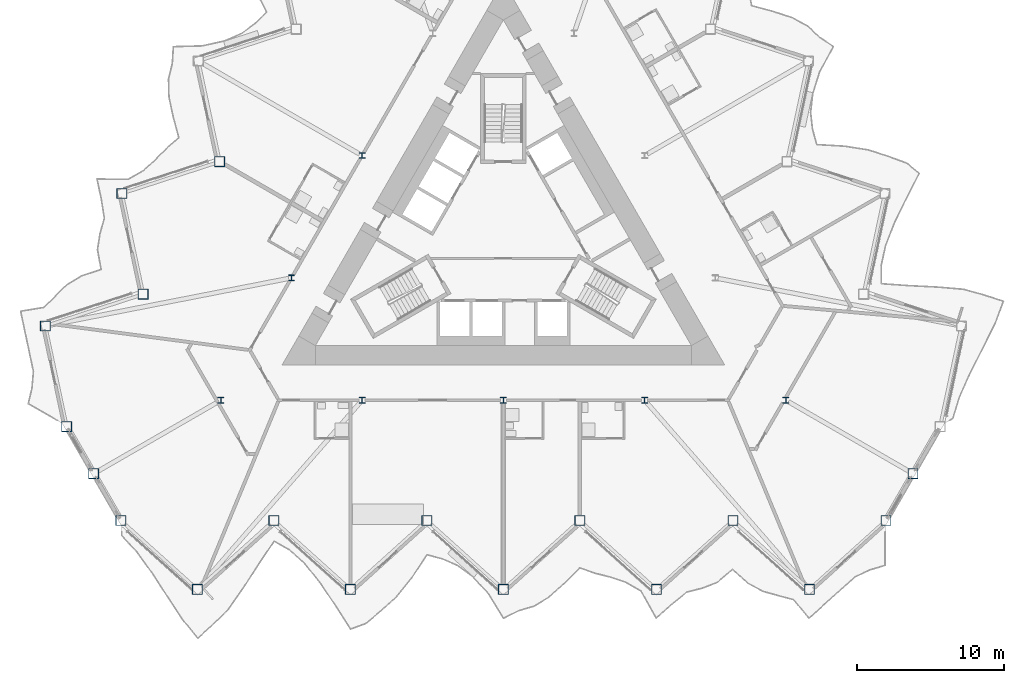
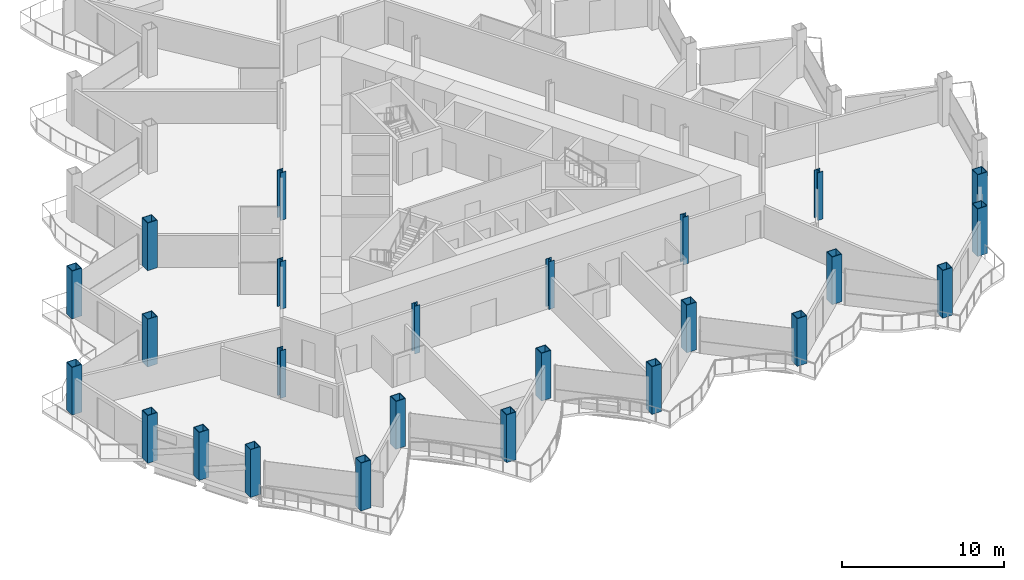
# One storey, part 1 of 23: 25 columns.
"""IFC4 building model written with IfcOpenShell, lengths in metres."""

from ifc_helpers import new_model, si_unit, direction, frame, origin, origin_2d, place, context, subcontext, project, spatial, hollow_rectangle, i_section, extrude, material, material_profile, profile_set, type_object, element, save


model = new_model("IFC4")

# Units and contexts
model_context = context("Model", 3, precision=1e-05, world=origin(), true_north=direction((0.0, 1.0)))
body_context = subcontext(model_context, "Body", "Model", "MODEL_VIEW")
ifc_project = project(units=[si_unit("LENGTHUNIT", "METRE"), si_unit("AREAUNIT", "SQUARE_METRE"), si_unit("VOLUMEUNIT", "CUBIC_METRE"), si_unit("PLANEANGLEUNIT", "RADIAN"), si_unit("MASSUNIT", "GRAM", prefix="KILO")], contexts=[model_context])

# Site, building, storey
site_placement = place(None, origin())
site = spatial("IfcSite", under=ifc_project, at=site_placement, CompositionType="ELEMENT")
building_placement = place(site_placement, origin())
building = spatial("IfcBuilding", under=site, at=building_placement, Name="Cormorant Prow Tower", CompositionType="ELEMENT")
storey_placement = place(building_placement, frame((0.0, 0.0, 259.800048828125)))
storey = spatial("IfcBuildingStorey", under=building, at=storey_placement, Name="L58", CompositionType="ELEMENT", Elevation=259.800048828125)

# Columns
ifc_material_1 = material(Name="Structural steel ASTM A572 Gr 50", Category="steel")
ifc_material_profile_1 = material_profile(ifc_material_1, hollow_rectangle(XDim=0.699951171875, YDim=0.699951171875, WallThickness=0.044921875, at=origin_2d()), Name="Box 700x700x45")
ifc_profile_set_1 = profile_set([ifc_material_profile_1], Name="Structural steel ASTM A572 Gr 50")
column_type_1 = type_object("IfcColumnType", Name="Perimeter box column 700x700x45", PredefinedType="COLUMN", material=ifc_profile_set_1)
for number, where, z_axis, x_axis, name in (
    (1, (-25.941162109375, -19.21533203125, 0.0), (0.0, 0.0, 1.0), (1.0, 0.0, 0.0), "Perimeter column C5 at S00 L58"),
    (2, (-20.7529296875, -23.886962890625, 0.0), (0.0, 0.0, 1.0), (1.0, 0.0, 0.0), "Perimeter column C5 at S01 L58"),
    (3, (-15.564697265625, -19.21533203125, 0.0), (0.0, 0.0, 1.0), (1.0, 0.0, 0.0), "Perimeter column C5 at S02 L58"),
    (4, (-10.37646484375, -23.886962890625, 0.0), (0.0, 0.0, 1.0), (1.0, 0.0, 0.0), "Perimeter column C5 at S03 L58"),
    (5, (-5.188232421875, -19.21533203125, 0.0), (0.0, 0.0, 1.0), (1.0, 0.0, 0.0), "Perimeter column C5 at S04 L58"),
    (6, (0.0, -23.886962890625, 0.0), (0.0, 0.0, 1.0), (1.0, 0.0, 0.0), "Perimeter column C5 at S05 L58"),
    (7, (5.188232421875, -19.21533203125, 0.0), (0.0, 0.0, 1.0), (1.0, 0.0, 0.0), "Perimeter column C5 at S06 L58"),
    (8, (10.37646484375, -23.886962890625, 0.0), (0.0, 0.0, 1.0), (1.0, 0.0, 0.0), "Perimeter column C5 at S07 L58"),
    (9, (15.564697265625, -19.21533203125, 0.0), (0.0, 0.0, 1.0), (1.0, 0.0, 0.0), "Perimeter column C5 at S08 L58"),
    (10, (20.7529296875, -23.886962890625, 0.0), (0.0, 0.0, 1.0), (1.0, 0.0, 0.0), "Perimeter column C5 at S09 L58"),
    (11, (25.941162109375, -19.21533203125, 0.0), (0.0, 0.0, 1.0), (1.0, 0.0, 0.0), "Perimeter column C5 at ESE00 L58"),
    (12, (27.7763671875, -16.03662109375, 0.0), (0.0, 0.0, 1.0), (1.0, 0.0, 0.0), "Perimeter column C5 at ESE01 L58"),
    (13, (-19.235107421875, 5.114501953125, 0.0), (0.0, 0.0, 1.0), (1.0, 0.0, 0.0), "Perimeter column C5 at WNW06 L58"),
    (14, (-25.875, 2.957275390625, 0.0), (0.0, 0.0, 1.0), (1.0, 0.0, 0.0), "Perimeter column C5 at WNW07 L58"),
    (15, (-24.42333984375, -3.871826171875, 0.0), (0.0, 0.0, 1.0), (1.0, 0.0, 0.0), "Perimeter column C5 at WNW08 L58"),
    (16, (-31.063232421875, -6.029052734375, 0.0), (0.0, 0.0, 1.0), (1.0, 0.0, 0.0), "Perimeter column C5 at WNW09 L58"),
    (17, (-29.611572265625, -12.858154296875, 0.0), (0.0, 0.0, 1.0), (1.0, 0.0, 0.0), "Perimeter column C5 at WSW00 L58"),
    (18, (-27.7763671875, -16.03662109375, 0.0), (0.0, 0.0, 1.0), (1.0, 0.0, 0.0), "Perimeter column C5 at WSW01 L58"),
):
    element("IfcColumn", number, at=place(storey_placement, frame(where, z_axis=z_axis, x_axis=x_axis)), inside=storey, type_object=column_type_1, Name=name, PredefinedType="COLUMN", context=body_context, shape_type="SweptSolid", body=[
        extrude(hollow_rectangle(XDim=0.699951171875, YDim=0.699951171875, WallThickness=0.044921875, at=origin_2d()), origin(), (0.0, 0.0, 1.0), 3.599853515625),
    ])
ifc_material_2 = material(Name="Structural steel ASTM A992 Gr 50", Category="steel")
ifc_material_profile_2 = material_profile(ifc_material_2, i_section(OverallWidth=0.39892578125, OverallDepth=0.393310546875, WebThickness=0.022705078125, FlangeThickness=0.03662109375, at=origin_2d()), Name="W14x193")
ifc_profile_set_2 = profile_set([ifc_material_profile_2], Name="Structural steel ASTM A992 Gr 50")
column_type_2 = type_object("IfcColumnType", Name="Ring column W14x193", PredefinedType="COLUMN", material=ifc_profile_set_2)
for number, where, z_axis, x_axis, name in (
    (19, (-9.578369140625, 5.530029296875, 0.0), (0.0, 0.0, 1.0), (1.0, 0.0, 0.0), "Ring column 3 L58"),
    (20, (-14.36767578125, -2.76513671875, 0.0), (0.0, 0.0, 1.0), (1.0, 0.0, 0.0), "Ring column 4 L58"),
    (21, (-19.156982421875, -11.060302734375, 0.0), (0.0, 0.0, 1.0), (1.0, 0.0, 0.0), "Ring column 5 L58"),
    (22, (-9.578369140625, -11.060302734375, 0.0), (0.0, 0.0, 1.0), (1.0, 0.0, 0.0), "Ring column 6 L58"),
    (23, (0.0, -11.060302734375, 0.0), (0.0, 0.0, 1.0), (1.0, 0.0, 0.0), "Ring column 7 L58"),
    (24, (9.578369140625, -11.060302734375, 0.0), (0.0, 0.0, 1.0), (1.0, 0.0, 0.0), "Ring column 8 L58"),
    (25, (19.156982421875, -11.060302734375, 0.0), (0.0, 0.0, 1.0), (1.0, 0.0, 0.0), "Ring column 9 L58"),
):
    element("IfcColumn", number, at=place(storey_placement, frame(where, z_axis=z_axis, x_axis=x_axis)), inside=storey, type_object=column_type_2, Name=name, PredefinedType="COLUMN", context=body_context, shape_type="SweptSolid", body=[
        extrude(i_section(OverallWidth=0.39892578125, OverallDepth=0.393310546875, WebThickness=0.022705078125, FlangeThickness=0.03662109375, at=origin_2d()), origin(), (0.0, 0.0, 1.0), 3.599853515625),
    ])

save(model, "model.ifc")
